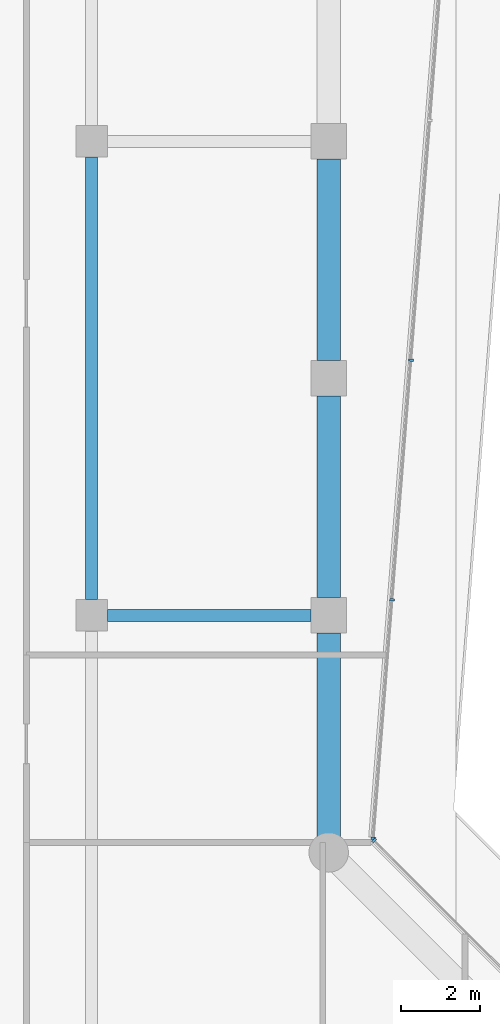
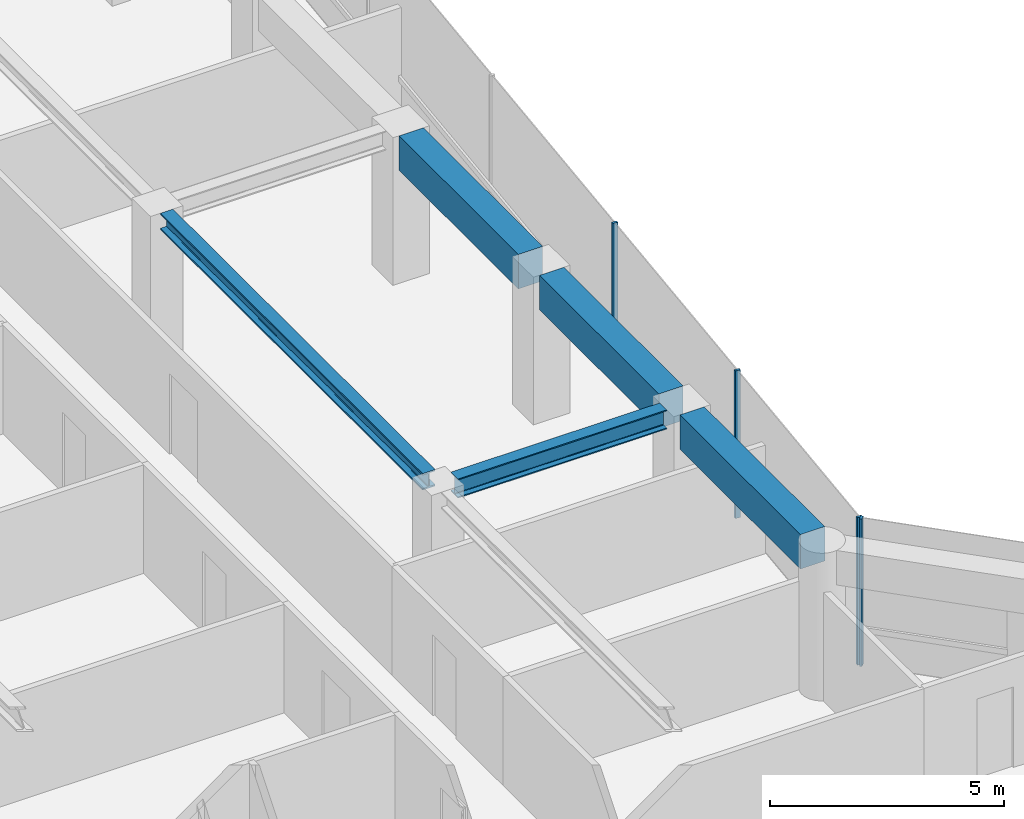
# One storey, part 11 of 24: 5 beams, 4 members, 2 elements without a shape of their own.
"""IFC4 building model written with IfcOpenShell, lengths in metres."""

from ifc_helpers import new_model, si_unit, direction, frame, origin, origin_2d, place, context, subcontext, project, spatial, rectangle, i_section, extrude, material, layer, layer_set, material_profile, profile_set, type_object, element, aggregate, save


model = new_model("IFC4")

# Units and contexts
model_context = context("Model", 3, precision=1e-05, world=origin(), true_north=direction((0.0, 1.0)))
body_context = subcontext(model_context, "Body", "Model", "MODEL_VIEW")
ifc_project = project(units=[si_unit("LENGTHUNIT", "METRE"), si_unit("AREAUNIT", "SQUARE_METRE"), si_unit("VOLUMEUNIT", "CUBIC_METRE"), si_unit("PLANEANGLEUNIT", "RADIAN"), si_unit("MASSUNIT", "GRAM", prefix="KILO")], contexts=[model_context])

# Site, building, storey
site_placement = place(None, origin())
site = spatial("IfcSite", under=ifc_project, at=site_placement, CompositionType="ELEMENT")
building_placement = place(site_placement, origin())
building = spatial("IfcBuilding", under=site, at=building_placement, Name="Welwitschia Terrace Campus", CompositionType="ELEMENT")
storey_placement = place(building_placement, frame((0.0, 0.0, 129.800048828125)))
storey = spatial("IfcBuildingStorey", under=building, at=storey_placement, Name="L29", CompositionType="ELEMENT", Elevation=129.800048828125)

# Beam
ifc_material_1 = material(Name="Steel S355", Category="steel")
ifc_material_profile_1 = material_profile(ifc_material_1, i_section(OverallWidth=0.306884765625, OverallDepth=0.431884765625, WebThickness=0.02099609375, FlangeThickness=0.0400390625, FilletRadius=0.027099609375, at=origin_2d()))
ifc_profile_set_1 = profile_set([ifc_material_profile_1], Name="Steel S355")
beam_type_1 = type_object("IfcBeamType", Name="Interior girder HE 400 M", PredefinedType="BEAM", material=ifc_profile_set_1)
beam_1_placement = place(storey_placement, frame((18.0, 40.400390625, 3.634033203125), z_axis=(0.0, 1.0, 0.0), x_axis=(-1.0, 0.0, 0.0)))
element("IfcBeam", 1, at=beam_1_placement, inside=storey, type_object=beam_type_1, Name="Girder GB3", PredefinedType="BEAM", context=body_context, shape_type="SweptSolid", body=[
    extrude(i_section(OverallWidth=0.306884765625, OverallDepth=0.431884765625, WebThickness=0.02099609375, FlangeThickness=0.0400390625, FilletRadius=0.027099609375, at=origin_2d()), origin(), (0.0, 0.0, 1.0), 11.19921875),
])

# Curtain wall, member
ifc_material_2 = material(Name="Bronze anodised aluminium", Category="aluminium")
ifc_layer = layer(ifc_material_2, 0.1201171875)
ifc_layer_set = layer_set([ifc_layer], Name="Bronze anodised aluminium")
curtain_wall_type = type_object("IfcCurtainWallType", Name="Curtain wall CW2 tower 6000", PredefinedType="NOTDEFINED", material=ifc_layer_set)
curtain_wall_1_placement = place(storey_placement, origin())
curtain_wall_1 = element("IfcCurtainWall", 2, at=curtain_wall_1_placement, inside=storey, type_object=curtain_wall_type, Name="CW L29.9.0", PredefinedType="NOTDEFINED")
ifc_material_3 = material(Name="Bronze anodised aluminium", Category="aluminium")
ifc_material_profile_2 = material_profile(ifc_material_3, rectangle(XDim=0.1201171875, YDim=0.06005859375, at=origin_2d()))
ifc_profile_set_2 = profile_set([ifc_material_profile_2], Name="Bronze anodised aluminium")
member_type = type_object("IfcMemberType", Name="Mullion 60x120", PredefinedType="MULLION", material=ifc_profile_set_2)
member_1_placement = place(storey_placement, frame((25.14892578125, 34.307861328125, 0.0), z_axis=(0.0, 0.0, 1.0), x_axis=(-0.707106781187, -0.707106781187, 0.0)))
member_1 = element("IfcMember", 3, at=member_1_placement, type_object=member_type, Name="Mullion L29.9.0.1", PredefinedType="MULLION", context=body_context, shape_type="SweptSolid", body=[
    extrude(rectangle(XDim=0.1201171875, YDim=0.06005859375, at=origin_2d()), origin(), (0.0, 0.0, 1.0), 3.849853515625),
])
aggregate(curtain_wall_1, [member_1])

# Curtain wall, members
curtain_wall_2_placement = place(storey_placement, origin())
curtain_wall_2 = element("IfcCurtainWall", 4, at=curtain_wall_2_placement, inside=storey, type_object=curtain_wall_type, Name="CW L29.10.0", PredefinedType="NOTDEFINED")
member_2_placement = place(storey_placement, frame((25.130126953125, 34.35888671875, 0.0), z_axis=(0.0, 0.0, 1.0), x_axis=(-0.996917333733, 0.078459095728, 0.0)))
member_2 = element("IfcMember", 5, at=member_2_placement, type_object=member_type, Name="Mullion L29.10.0.0", PredefinedType="MULLION", context=body_context, shape_type="SweptSolid", body=[
    extrude(rectangle(XDim=0.1201171875, YDim=0.06005859375, at=origin_2d()), origin(), (0.0, 0.0, 1.0), 3.849853515625),
])
member_3_placement = place(storey_placement, frame((25.605224609375, 40.3955078125, 0.0), z_axis=(0.0, 0.0, 1.0), x_axis=(-0.996917333733, 0.078459095728, 0.0)))
member_3 = element("IfcMember", 6, at=member_3_placement, type_object=member_type, Name="Mullion L29.10.0.1", PredefinedType="MULLION", context=body_context, shape_type="SweptSolid", body=[
    extrude(rectangle(XDim=0.1201171875, YDim=0.06005859375, at=origin_2d()), origin(), (0.0, 0.0, 1.0), 3.849853515625),
])
member_4_placement = place(storey_placement, frame((26.08251953125, 46.462158203125, 0.0), z_axis=(0.0, 0.0, 1.0), x_axis=(-0.996917333733, 0.078459095728, 0.0)))
member_4 = element("IfcMember", 7, at=member_4_placement, type_object=member_type, Name="Mullion L29.10.0.2", PredefinedType="MULLION", context=body_context, shape_type="SweptSolid", body=[
    extrude(rectangle(XDim=0.1201171875, YDim=0.06005859375, at=origin_2d()), origin(), (0.0, 0.0, 1.0), 3.849853515625),
])
aggregate(curtain_wall_2, [member_2, member_3, member_4])

# Beams
ifc_material_4 = material(Name="Steel S355", Category="steel")
ifc_material_profile_3 = material_profile(ifc_material_4, i_section(OverallWidth=0.300048828125, OverallDepth=0.5, WebThickness=0.014404296875, FlangeThickness=0.028076171875, FilletRadius=0.027099609375, at=origin_2d()))
ifc_profile_set_3 = profile_set([ifc_material_profile_3], Name="Steel S355")
beam_type_2 = type_object("IfcBeamType", Name="Primary beam HE 500 B", PredefinedType="BEAM", material=ifc_profile_set_3)
beam_2_placement = place(storey_placement, frame((23.549560546875, 40.0, 3.599853515625), z_axis=(-1.0, 0.0, 0.0), x_axis=(0.0, -1.0, 0.0)))
element("IfcBeam", 8, at=beam_2_placement, inside=storey, type_object=beam_type_2, Name="Primary beam PB3", PredefinedType="BEAM", context=body_context, shape_type="SweptSolid", body=[
    extrude(i_section(OverallWidth=0.300048828125, OverallDepth=0.5, WebThickness=0.014404296875, FlangeThickness=0.028076171875, FilletRadius=0.027099609375, at=origin_2d()), origin(), (0.0, 0.0, 1.0), 5.149169921875),
])
ifc_material_5 = material(Name="Concrete C60/75", Category="concrete")
ifc_material_profile_4 = material_profile(ifc_material_5, rectangle(XDim=0.60009765625, YDim=0.89990234375, at=origin_2d()))
ifc_profile_set_4 = profile_set([ifc_material_profile_4], Name="Concrete C60/75")
beam_type_3 = type_object("IfcBeamType", Name="Ring spandrel 600x900", PredefinedType="SPANDREL", material=ifc_profile_set_4)
beam_3_placement = place(storey_placement, frame((24.0, 34.400390625, 3.39990234375), z_axis=(0.0, 1.0, 0.0), x_axis=(-1.0, 0.0, 0.0)))
element("IfcBeam", 9, at=beam_3_placement, inside=storey, type_object=beam_type_3, Name="Spandrel SP2", PredefinedType="SPANDREL", context=body_context, shape_type="SweptSolid", body=[
    extrude(rectangle(XDim=0.60009765625, YDim=0.89990234375, at=origin_2d()), origin(), (0.0, 0.0, 1.0), 5.149169921875),
])
for number, where, z_axis, x_axis, name in (
    (10, (24.0, 40.450439453125, 3.39990234375), (0.0, 1.0, 0.0), (-1.0, 0.0, 0.0), "Spandrel SP2"),
    (11, (24.0, 46.450439453125, 3.39990234375), (0.0, 1.0, 0.0), (-1.0, 0.0, 0.0), "Spandrel SP2"),
):
    element("IfcBeam", number, at=place(storey_placement, frame(where, z_axis=z_axis, x_axis=x_axis)), inside=storey, type_object=beam_type_3, Name=name, PredefinedType="SPANDREL", context=body_context, shape_type="SweptSolid", body=[
        extrude(rectangle(XDim=0.60009765625, YDim=0.89990234375, at=origin_2d()), origin(), (0.0, 0.0, 1.0), 5.09912109375),
    ])

save(model, "model.ifc")
